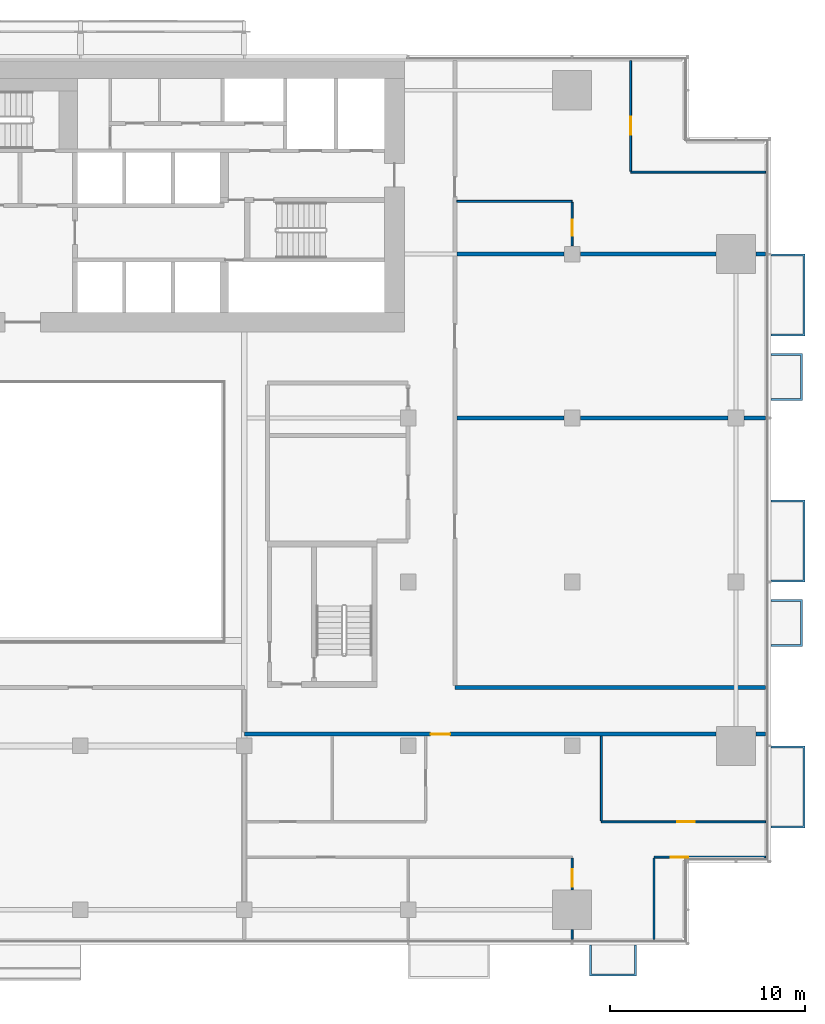
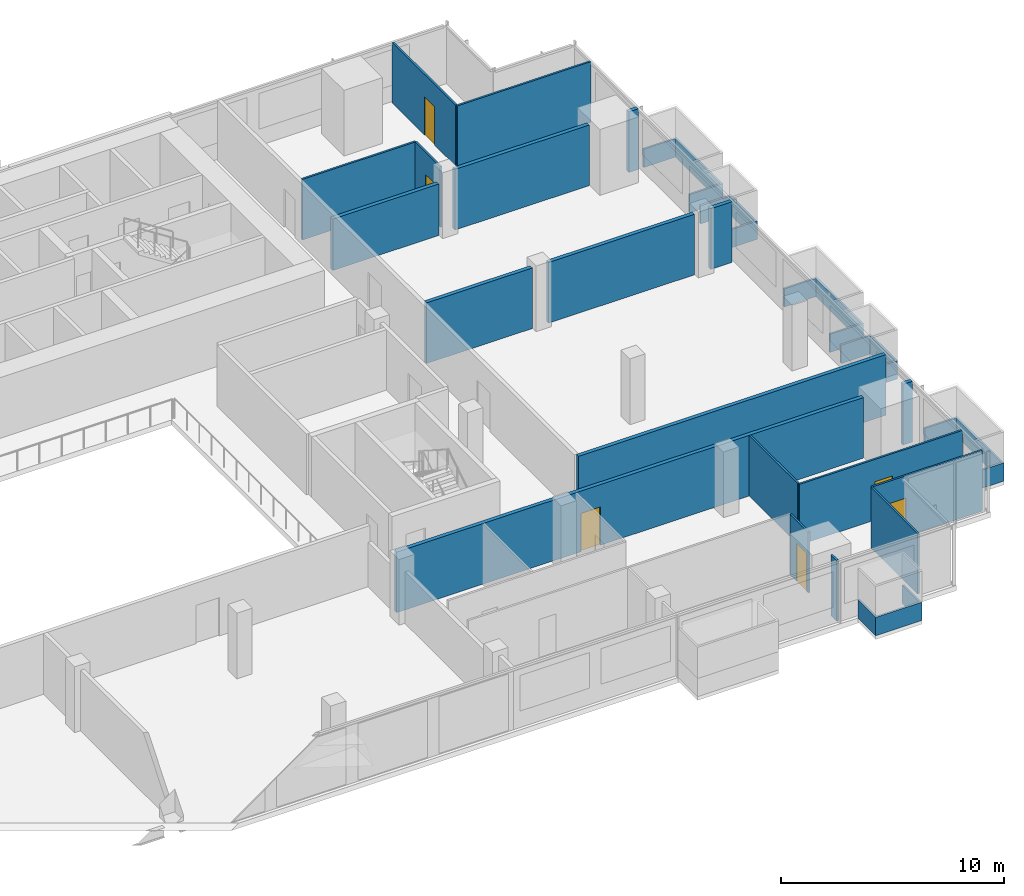
# One storey, part 23 of 26: 25 walls, 6 doors, 6 openings.
"""IFC4 building model written with IfcOpenShell, lengths in metres."""

from ifc_helpers import new_model, si_unit, direction, frame, frame_2d, origin, place, context, subcontext, project, spatial, polyline, rectangle, outline, extrude, material, layer, layer_set, type_object, element, fill, save


model = new_model("IFC4")

# Units and contexts
model_context = context("Model", 3, precision=1e-05, world=origin(), true_north=direction((0.0, 1.0)))
body_context = subcontext(model_context, "Body", "Model", "MODEL_VIEW")
ifc_project = project(units=[si_unit("LENGTHUNIT", "METRE"), si_unit("AREAUNIT", "SQUARE_METRE"), si_unit("VOLUMEUNIT", "CUBIC_METRE"), si_unit("PLANEANGLEUNIT", "RADIAN"), si_unit("MASSUNIT", "GRAM", prefix="KILO")], contexts=[model_context])

# Site, building, storey
site_placement = place(None, origin())
site = spatial("IfcSite", under=ifc_project, at=site_placement, CompositionType="ELEMENT")
building_placement = place(site_placement, origin())
building = spatial("IfcBuilding", under=site, at=building_placement, Name="Saffron Gate Tower", CompositionType="ELEMENT")
storey_placement = place(building_placement, frame((0.0, 0.0, 98.85009765625)))
storey = spatial("IfcBuildingStorey", under=building, at=storey_placement, Name="L22", CompositionType="ELEMENT", Elevation=98.85009765625)

# Wall, opening, door
ifc_material_1 = material(Name="Plasterboard on steel studs", Category="steel")
ifc_layer_1 = layer(ifc_material_1, 0.10009765625)
ifc_layer_set_1 = layer_set([ifc_layer_1], Name="PW1 Partition 100")
wall_type_1 = type_object("IfcWallType", Name="PW1 Partition 100", PredefinedType="PARTITIONING", material=ifc_layer_set_1)
wall_1_placement = place(storey_placement, frame((126.919921875, 34.5, 0.0), z_axis=(0.0, 0.0, 1.0), x_axis=(-1.0, 0.0, 0.0)))
wall_1 = element("IfcWall", 1, at=wall_1_placement, inside=storey, type_object=wall_type_1, Name="Partition B1-3", PredefinedType="PARTITIONING", context=body_context, shape_type="SweptSolid", body=[
    extrude(rectangle(XDim=5.719970703125, YDim=0.10009765625, at=frame_2d((2.85986328125, 0.0))), origin(), (0.0, 0.0, 1.0), 3.31982421875),
])
opening_1_placement = place(wall_1_placement, frame((3.96630859375, 0.0, 0.0)))
opening_1 = element("IfcOpeningElement", 2, at=opening_1_placement, cuts=wall_1, Name="Opening B1-11", PredefinedType="OPENING", context=body_context, shape_type="SweptSolid", body=[
    extrude(rectangle(XDim=0.89990234375, YDim=2.10009765625, at=frame_2d((0.449951171875, 1.050048828125))), frame((0.0, 0.06005859375, 0.0), z_axis=(0.0, -1.0, 0.0), x_axis=(1.0, 0.0, 0.0)), (0.0, 0.0, 1.0), 0.1201171875),
])
ifc_material_2 = material(Name="Timber door set", Category="wood")
door_type_1 = type_object("IfcDoorType", Name="RD1 Room door 900x2100", OperationType="NOTDEFINED", PredefinedType="DOOR", material=ifc_material_2)
door_1_placement = place(opening_1_placement, origin())
door_1 = element("IfcDoor", 3, at=door_1_placement, inside=storey, type_object=door_type_1, Name="Door B1-11", OperationType="SINGLE_SWING_RIGHT", OverallHeight=2.10009765625, OverallWidth=0.89990234375, PredefinedType="DOOR", context=body_context, shape_type="SweptSolid", body=[
    extrude(rectangle(XDim=0.89990234375, YDim=2.10009765625, at=frame_2d((0.449951171875, 1.050048828125))), frame((0.0, 0.02490234375, 0.0), z_axis=(0.0, -1.0, 0.0), x_axis=(1.0, 0.0, 0.0)), (0.0, 0.0, 1.0), 0.050048828125),
])
fill(opening_1, door_1)

wall_2_placement = place(storey_placement, frame((118.5, 36.300048828125, 0.0), z_axis=(0.0, 0.0, 1.0), x_axis=(1.0, 0.0, 0.0)))
wall_2 = element("IfcWall", 4, at=wall_2_placement, inside=storey, type_object=wall_type_1, Name="Partition B1-7", PredefinedType="PARTITIONING", context=body_context, shape_type="SweptSolid", body=[
    extrude(rectangle(XDim=8.419921875, YDim=0.10009765625, at=frame_2d((4.2099609375, 0.0))), origin(), (0.0, 0.0, 1.0), 3.31982421875),
])
opening_2_placement = place(wall_2_placement, frame((3.89990234375, 0.0, 0.0)))
opening_2 = element("IfcOpeningElement", 5, at=opening_2_placement, cuts=wall_2, Name="Opening B1-12", PredefinedType="OPENING", context=body_context, shape_type="SweptSolid", body=[
    extrude(rectangle(XDim=0.89990234375, YDim=2.10009765625, at=frame_2d((0.449951171875, 1.050048828125))), frame((0.0, 0.06005859375, 0.0), z_axis=(0.0, -1.0, 0.0), x_axis=(1.0, 0.0, 0.0)), (0.0, 0.0, 1.0), 0.1201171875),
])
door_2_placement = place(opening_2_placement, origin())
door_2 = element("IfcDoor", 6, at=door_2_placement, inside=storey, type_object=door_type_1, Name="Door B1-12", OperationType="SINGLE_SWING_RIGHT", OverallHeight=2.10009765625, OverallWidth=0.89990234375, PredefinedType="DOOR", context=body_context, shape_type="SweptSolid", body=[
    extrude(rectangle(XDim=0.89990234375, YDim=2.10009765625, at=frame_2d((0.449951171875, 1.050048828125))), frame((0.0, 0.02490234375, 0.0), z_axis=(0.0, -1.0, 0.0), x_axis=(1.0, 0.0, 0.0)), (0.0, 0.0, 1.0), 0.050048828125),
])
fill(opening_2, door_2)

# Walls
wall_3_placement = place(storey_placement, frame((111.10009765625, 68.10009765625, 0.0), z_axis=(0.0, 0.0, 1.0), x_axis=(1.0, 0.0, 0.0)))
element("IfcWall", 7, at=wall_3_placement, inside=storey, type_object=wall_type_1, Name="Partition B1-32", PredefinedType="PARTITIONING", context=body_context, shape_type="SweptSolid", body=[
    extrude(rectangle(XDim=5.89990234375, YDim=0.10009765625, at=frame_2d((2.949951171875, 0.0))), origin(), (0.0, 0.0, 1.0), 3.31982421875),
])
wall_4_placement = place(storey_placement, frame((120.0, 69.60009765625, 0.0), z_axis=(0.0, 0.0, 1.0), x_axis=(1.0, 0.0, 0.0)))
element("IfcWall", 8, at=wall_4_placement, inside=storey, type_object=wall_type_1, Name="Partition B1-34", PredefinedType="PARTITIONING", context=body_context, shape_type="SweptSolid", body=[
    extrude(rectangle(XDim=6.919921875, YDim=0.10009765625, at=frame_2d((3.4599609375, 0.0))), origin(), (0.0, 0.0, 1.0), 3.31982421875),
])
wall_5_placement = place(storey_placement, frame((117.0, 30.780029296875, 0.0), z_axis=(0.0, 0.0, 1.0), x_axis=(0.0, -1.0, 0.0)))
element("IfcWall", 9, at=wall_5_placement, inside=storey, type_object=wall_type_1, Name="Partition B1-67", PredefinedType="PARTITIONING", context=body_context, shape_type="SweptSolid", body=[
    extrude(rectangle(XDim=0.5, YDim=0.10009765625, at=frame_2d((0.25, 0.0))), origin(), (0.0, 0.0, 1.0), 3.31982421875),
])

# Wall, opening, door
wall_6_placement = place(storey_placement, frame((117.0, 32.820068359375, 0.0), z_axis=(0.0, 0.0, 1.0), x_axis=(0.0, 1.0, 0.0)))
wall_6 = element("IfcWall", 10, at=wall_6_placement, inside=storey, type_object=wall_type_1, Name="Partition B1-68", PredefinedType="PARTITIONING", context=body_context, shape_type="SweptSolid", body=[
    extrude(rectangle(XDim=1.6298828125, YDim=0.10009765625, at=frame_2d((0.81494140625, 0.0))), origin(), (0.0, 0.0, 1.0), 3.31982421875),
])
opening_3_placement = place(wall_6_placement, frame((0.14990234375, 0.0, 0.0)))
opening_3 = element("IfcOpeningElement", 11, at=opening_3_placement, cuts=wall_6, Name="Opening B1-10", PredefinedType="OPENING", context=body_context, shape_type="SweptSolid", body=[
    extrude(rectangle(XDim=0.89990234375, YDim=2.10009765625, at=frame_2d((0.449951171875, 1.050048828125))), frame((0.0, 0.06005859375, 0.0), z_axis=(0.0, -1.0, 0.0), x_axis=(1.0, 0.0, 0.0)), (0.0, 0.0, 1.0), 0.1201171875),
])
door_3_placement = place(opening_3_placement, origin())
door_3 = element("IfcDoor", 12, at=door_3_placement, inside=storey, type_object=door_type_1, Name="Door B1-10", OperationType="SINGLE_SWING_LEFT", OverallHeight=2.10009765625, OverallWidth=0.89990234375, PredefinedType="DOOR", context=body_context, shape_type="SweptSolid", body=[
    extrude(rectangle(XDim=0.89990234375, YDim=2.10009765625, at=frame_2d((0.449951171875, 1.050048828125))), frame((0.0, 0.02490234375, 0.0), z_axis=(0.0, -1.0, 0.0), x_axis=(1.0, 0.0, 0.0)), (0.0, 0.0, 1.0), 0.050048828125),
])
fill(opening_3, door_3)

wall_7_placement = place(storey_placement, frame((117.0, 65.820068359375, 0.0), z_axis=(0.0, 0.0, 1.0), x_axis=(0.0, 1.0, 0.0)))
wall_7 = element("IfcWall", 13, at=wall_7_placement, inside=storey, type_object=wall_type_1, Name="Partition B1-69", PredefinedType="PARTITIONING", context=body_context, shape_type="SweptSolid", body=[
    extrude(rectangle(XDim=2.22998046875, YDim=0.10009765625, at=frame_2d((1.114990234375, 0.0))), origin(), (0.0, 0.0, 1.0), 3.31982421875),
])
opening_4_placement = place(wall_7_placement, frame((0.530029296875, 0.0, 0.0)))
opening_4 = element("IfcOpeningElement", 14, at=opening_4_placement, cuts=wall_7, Name="Opening B1-21", PredefinedType="OPENING", context=body_context, shape_type="SweptSolid", body=[
    extrude(rectangle(XDim=0.800048828125, YDim=2.10009765625, at=frame_2d((0.39990234375, 1.050048828125))), frame((0.0, 0.06005859375, 0.0), z_axis=(0.0, -1.0, 0.0), x_axis=(1.0, 0.0, 0.0)), (0.0, 0.0, 1.0), 0.1201171875),
])
door_type_2 = type_object("IfcDoorType", Name="RD2 Bathroom door 800x2100", OperationType="NOTDEFINED", PredefinedType="DOOR", material=ifc_material_2)
door_4_placement = place(opening_4_placement, origin())
door_4 = element("IfcDoor", 15, at=door_4_placement, inside=storey, type_object=door_type_2, Name="Door B1-21", OperationType="SINGLE_SWING_LEFT", OverallHeight=2.10009765625, OverallWidth=0.800048828125, PredefinedType="DOOR", context=body_context, shape_type="SweptSolid", body=[
    extrude(rectangle(XDim=0.800048828125, YDim=2.10009765625, at=frame_2d((0.39990234375, 1.050048828125))), frame((0.0, 0.02490234375, 0.0), z_axis=(0.0, -1.0, 0.0), x_axis=(1.0, 0.0, 0.0)), (0.0, 0.0, 1.0), 0.050048828125),
])
fill(opening_4, door_4)

# Wall
wall_8_placement = place(storey_placement, frame((118.5, 40.699951171875, 0.0), z_axis=(0.0, 0.0, 1.0), x_axis=(0.0, -1.0, 0.0)))
element("IfcWall", 16, at=wall_8_placement, inside=storey, type_object=wall_type_1, Name="Partition B1-70", PredefinedType="PARTITIONING", context=body_context, shape_type="SweptSolid", body=[
    extrude(rectangle(XDim=4.349853515625, YDim=0.10009765625, at=frame_2d((2.1748046875, 0.0))), origin(), (0.0, 0.0, 1.0), 3.31982421875),
])

# Wall, opening, door
wall_9_placement = place(storey_placement, frame((120.0, 75.320068359375, 0.0), z_axis=(0.0, 0.0, 1.0), x_axis=(0.0, -1.0, 0.0)))
wall_9 = element("IfcWall", 17, at=wall_9_placement, inside=storey, type_object=wall_type_1, Name="Partition B1-71", PredefinedType="PARTITIONING", context=body_context, shape_type="SweptSolid", body=[
    extrude(rectangle(XDim=5.670166015625, YDim=0.10009765625, at=frame_2d((2.8349609375, 0.0))), origin(), (0.0, 0.0, 1.0), 3.31982421875),
])
opening_5_placement = place(wall_9_placement, frame((2.89111328125, 0.0, 0.0)))
opening_5 = element("IfcOpeningElement", 18, at=opening_5_placement, cuts=wall_9, Name="Opening B1-14", PredefinedType="OPENING", context=body_context, shape_type="SweptSolid", body=[
    extrude(rectangle(XDim=0.89990234375, YDim=2.10009765625, at=frame_2d((0.449951171875, 1.050048828125))), frame((0.0, 0.06005859375, 0.0), z_axis=(0.0, -1.0, 0.0), x_axis=(1.0, 0.0, 0.0)), (0.0, 0.0, 1.0), 0.1201171875),
])
door_5_placement = place(opening_5_placement, origin())
door_5 = element("IfcDoor", 19, at=door_5_placement, inside=storey, type_object=door_type_1, Name="Door B1-14", OperationType="SINGLE_SWING_RIGHT", OverallHeight=2.10009765625, OverallWidth=0.89990234375, PredefinedType="DOOR", context=body_context, shape_type="SweptSolid", body=[
    extrude(rectangle(XDim=0.89990234375, YDim=2.10009765625, at=frame_2d((0.449951171875, 1.050048828125))), frame((0.0, 0.02490234375, 0.0), z_axis=(0.0, -1.0, 0.0), x_axis=(1.0, 0.0, 0.0)), (0.0, 0.0, 1.0), 0.050048828125),
])
fill(opening_5, door_5)

# Wall
wall_10_placement = place(storey_placement, frame((121.199951171875, 34.449951171875, 0.0), z_axis=(0.0, 0.0, 1.0), x_axis=(0.0, -1.0, 0.0)))
element("IfcWall", 20, at=wall_10_placement, inside=storey, type_object=wall_type_1, Name="Partition B1-72", PredefinedType="PARTITIONING", context=body_context, shape_type="SweptSolid", body=[
    extrude(rectangle(XDim=4.169921875, YDim=0.10009765625, at=frame_2d((2.0849609375, 0.0))), origin(), (0.0, 0.0, 1.0), 3.31982421875),
])

# Wall, opening, door
ifc_material_3 = material(Name="Clay brick masonry, rendered", Category="masonry")
ifc_layer_2 = layer(ifc_material_3, 0.199951171875)
ifc_layer_set_2 = layer_set([ifc_layer_2], Name="PW3 Corridor wall 200")
wall_type_2 = type_object("IfcWallType", Name="PW3 Corridor wall 200", PredefinedType="PARTITIONING", material=ifc_layer_set_2)
wall_11_placement = place(storey_placement, frame((124.3798828125, 40.800048828125, 0.0), z_axis=(0.0, 0.0, 1.0), x_axis=(-1.0, 0.0, 0.0)))
wall_11 = element("IfcWall", 21, at=wall_11_placement, inside=storey, type_object=wall_type_2, Name="Wall B1-10", PredefinedType="PARTITIONING", context=body_context, shape_type="SweptSolid", body=[
    extrude(rectangle(XDim=24.179931640625, YDim=0.199951171875, at=frame_2d((12.08984375, 0.0))), origin(), (0.0, 0.0, 1.0), 3.31982421875),
])
opening_6_placement = place(wall_11_placement, frame((13.6298828125, 0.0, 0.0)))
opening_6 = element("IfcOpeningElement", 22, at=opening_6_placement, cuts=wall_11, Name="Opening B1-2", PredefinedType="OPENING", context=body_context, shape_type="SweptSolid", body=[
    extrude(rectangle(XDim=1.0, YDim=2.10009765625, at=frame_2d((0.5, 1.050048828125))), frame((0.0, 0.10986328125, 0.0), z_axis=(0.0, -1.0, 0.0), x_axis=(1.0, 0.0, 0.0)), (0.0, 0.0, 1.0), 0.219970703125),
])
ifc_material_4 = material(Name="Timber fire door set", Category="wood")
door_type_3 = type_object("IfcDoorType", Name="FD1 Flat entry door 1000x2100", OperationType="NOTDEFINED", PredefinedType="DOOR", material=ifc_material_4)
door_6_placement = place(opening_6_placement, origin())
door_6 = element("IfcDoor", 23, at=door_6_placement, inside=storey, type_object=door_type_3, Name="Door B1-2", OperationType="SINGLE_SWING_RIGHT", OverallHeight=2.10009765625, OverallWidth=1.0, PredefinedType="DOOR", context=body_context, shape_type="SweptSolid", body=[
    extrude(rectangle(XDim=1.0, YDim=2.10009765625, at=frame_2d((0.5, 1.050048828125))), frame((0.0, 0.02490234375, 0.0), z_axis=(0.0, -1.0, 0.0), x_axis=(1.0, 0.0, 0.0)), (0.0, 0.0, 1.0), 0.050048828125),
])
fill(opening_6, door_6)

# Walls
wall_12_placement = place(storey_placement, frame((126.419921875, 40.800048828125, 0.0), z_axis=(0.0, 0.0, 1.0), x_axis=(1.0, 0.0, 0.0)))
element("IfcWall", 24, at=wall_12_placement, inside=storey, type_object=wall_type_2, Name="Wall B1-11", PredefinedType="PARTITIONING", context=body_context, shape_type="SweptSolid", body=[
    extrude(rectangle(XDim=0.5, YDim=0.199951171875, at=frame_2d((0.25, 0.0))), origin(), (0.0, 0.0, 1.0), 3.31982421875),
])
wall_13_placement = place(storey_placement, frame((111.0, 43.199951171875, 0.0), z_axis=(0.0, 0.0, 1.0), x_axis=(1.0, 0.0, 0.0)))
element("IfcWall", 25, at=wall_13_placement, inside=storey, type_object=wall_type_2, Name="Wall B1-14", PredefinedType="PARTITIONING", context=body_context, shape_type="SweptSolid", body=[
    extrude(rectangle(XDim=15.919921875, YDim=0.199951171875, at=frame_2d((7.9599609375, 0.0))), origin(), (0.0, 0.0, 1.0), 3.31982421875),
])
ifc_layer_3 = layer(ifc_material_3, 0.199951171875)
ifc_layer_set_3 = layer_set([ifc_layer_3], Name="PW5 Room wall 200")
wall_type_3 = type_object("IfcWallType", Name="PW5 Room wall 200", PredefinedType="PARTITIONING", material=ifc_layer_set_3)
wall_14_placement = place(storey_placement, frame((111.10009765625, 57.0, 0.0), z_axis=(0.0, 0.0, 1.0), x_axis=(1.0, 0.0, 0.0)))
element("IfcWall", 26, at=wall_14_placement, inside=storey, type_object=wall_type_3, Name="Wall B1-21", PredefinedType="PARTITIONING", context=body_context, shape_type="SweptSolid", body=[
    extrude(rectangle(XDim=5.47998046875, YDim=0.199951171875, at=frame_2d((2.739990234375, 0.0))), origin(), (0.0, 0.0, 1.0), 3.31982421875),
])
wall_15_placement = place(storey_placement, frame((117.419921875, 57.0, 0.0), z_axis=(0.0, 0.0, 1.0), x_axis=(1.0, 0.0, 0.0)))
element("IfcWall", 27, at=wall_15_placement, inside=storey, type_object=wall_type_3, Name="Wall B1-22", PredefinedType="PARTITIONING", context=body_context, shape_type="SweptSolid", body=[
    extrude(rectangle(XDim=7.56005859375, YDim=0.199951171875, at=frame_2d((3.780029296875, 0.0))), origin(), (0.0, 0.0, 1.0), 3.31982421875),
])
wall_16_placement = place(storey_placement, frame((125.820068359375, 57.0, 0.0), z_axis=(0.0, 0.0, 1.0), x_axis=(1.0, 0.0, 0.0)))
element("IfcWall", 28, at=wall_16_placement, inside=storey, type_object=wall_type_3, Name="Wall B1-23", PredefinedType="PARTITIONING", context=body_context, shape_type="SweptSolid", body=[
    extrude(rectangle(XDim=1.099853515625, YDim=0.199951171875, at=frame_2d((0.5498046875, 0.0))), origin(), (0.0, 0.0, 1.0), 3.31982421875),
])
wall_17_placement = place(storey_placement, frame((111.10009765625, 65.39990234375, 0.0), z_axis=(0.0, 0.0, 1.0), x_axis=(1.0, 0.0, 0.0)))
element("IfcWall", 29, at=wall_17_placement, inside=storey, type_object=wall_type_3, Name="Wall B1-29", PredefinedType="PARTITIONING", context=body_context, shape_type="SweptSolid", body=[
    extrude(rectangle(XDim=5.47998046875, YDim=0.199951171875, at=frame_2d((2.739990234375, 0.0))), origin(), (0.0, 0.0, 1.0), 2.81982421875),
])
wall_18_placement = place(storey_placement, frame((117.419921875, 65.39990234375, 0.0), z_axis=(0.0, 0.0, 1.0), x_axis=(1.0, 0.0, 0.0)))
element("IfcWall", 30, at=wall_18_placement, inside=storey, type_object=wall_type_3, Name="Wall B1-30", PredefinedType="PARTITIONING", context=body_context, shape_type="SweptSolid", body=[
    extrude(rectangle(XDim=6.9599609375, YDim=0.199951171875, at=frame_2d((3.47998046875, 0.0))), origin(), (0.0, 0.0, 1.0), 3.31982421875),
])
wall_19_placement = place(storey_placement, frame((126.419921875, 65.39990234375, 0.0), z_axis=(0.0, 0.0, 1.0), x_axis=(1.0, 0.0, 0.0)))
element("IfcWall", 31, at=wall_19_placement, inside=storey, type_object=wall_type_3, Name="Wall B1-31", PredefinedType="PARTITIONING", context=body_context, shape_type="SweptSolid", body=[
    extrude(rectangle(XDim=0.5, YDim=0.199951171875, at=frame_2d((0.25, 0.0))), origin(), (0.0, 0.0, 1.0), 3.31982421875),
])
ifc_material_5 = material(Name="Rendered insulated panel, white")
ifc_layer_4 = layer(ifc_material_5, 0.10009765625)
ifc_layer_set_4 = layer_set([ifc_layer_4], Name="WB3 box parapet white")
wall_type_4 = type_object("IfcWallType", Name="WB3 box parapet white", PredefinedType="SOLIDWALL", material=ifc_layer_set_4)
wall_20_placement = place(storey_placement, origin())
element("IfcWall", 32, at=wall_20_placement, inside=storey, type_object=wall_type_4, Name="WINDOW BOX parapet", PredefinedType="SOLIDWALL", context=body_context, shape_type="SweptSolid", body=[
    extrude(outline(polyline([(117.89990234375, 30.0), (118.0, 30.0), (118.0, 28.5), (120.199951171875, 28.5), (120.199951171875, 30.0), (120.300048828125, 30.0), (120.300048828125, 28.39990234375), (117.89990234375, 28.39990234375), (117.89990234375, 30.0)])), origin(), (0.0, 0.0, 1.0), 1.0),
])
wall_21_placement = place(storey_placement, origin())
element("IfcWall", 33, at=wall_21_placement, inside=storey, type_object=wall_type_4, Name="WINDOW BOX parapet", PredefinedType="SOLIDWALL", context=body_context, shape_type="SweptSolid", body=[
    extrude(outline(polyline([(127.199951171875, 36.0), (127.199951171875, 36.10009765625), (128.8330078125, 36.10009765625), (128.8330078125, 40.10009765625), (127.199951171875, 40.10009765625), (127.199951171875, 40.199951171875), (128.93310546875, 40.199951171875), (128.93310546875, 36.0), (127.199951171875, 36.0)])), origin(), (0.0, 0.0, 1.0), 1.0),
])
wall_22_placement = place(storey_placement, origin())
element("IfcWall", 34, at=wall_22_placement, inside=storey, type_object=wall_type_4, Name="WINDOW BOX parapet", PredefinedType="SOLIDWALL", context=body_context, shape_type="SweptSolid", body=[
    extrude(outline(polyline([(127.199951171875, 45.300048828125), (127.199951171875, 45.39990234375), (128.699951171875, 45.39990234375), (128.699951171875, 47.60009765625), (127.199951171875, 47.60009765625), (127.199951171875, 47.699951171875), (128.800048828125, 47.699951171875), (128.800048828125, 45.300048828125), (127.199951171875, 45.300048828125)])), origin(), (0.0, 0.0, 1.0), 1.0),
])
wall_23_placement = place(storey_placement, origin())
element("IfcWall", 35, at=wall_23_placement, inside=storey, type_object=wall_type_4, Name="WINDOW BOX parapet", PredefinedType="SOLIDWALL", context=body_context, shape_type="SweptSolid", body=[
    extrude(outline(polyline([(127.199951171875, 48.60009765625), (127.199951171875, 48.699951171875), (128.8330078125, 48.699951171875), (128.8330078125, 52.699951171875), (127.199951171875, 52.699951171875), (127.199951171875, 52.800048828125), (128.93310546875, 52.800048828125), (128.93310546875, 48.60009765625), (127.199951171875, 48.60009765625)])), origin(), (0.0, 0.0, 1.0), 1.0),
])
wall_24_placement = place(storey_placement, origin())
element("IfcWall", 36, at=wall_24_placement, inside=storey, type_object=wall_type_4, Name="WINDOW BOX parapet", PredefinedType="SOLIDWALL", context=body_context, shape_type="SweptSolid", body=[
    extrude(outline(polyline([(127.199951171875, 57.89990234375), (127.199951171875, 58.0), (128.699951171875, 58.0), (128.699951171875, 60.199951171875), (127.199951171875, 60.199951171875), (127.199951171875, 60.300048828125), (128.800048828125, 60.300048828125), (128.800048828125, 57.89990234375), (127.199951171875, 57.89990234375)])), origin(), (0.0, 0.0, 1.0), 1.0),
])
wall_25_placement = place(storey_placement, origin())
element("IfcWall", 37, at=wall_25_placement, inside=storey, type_object=wall_type_4, Name="WINDOW BOX parapet", PredefinedType="SOLIDWALL", context=body_context, shape_type="SweptSolid", body=[
    extrude(outline(polyline([(127.199951171875, 61.199951171875), (127.199951171875, 61.300048828125), (128.8330078125, 61.300048828125), (128.8330078125, 65.300048828125), (127.199951171875, 65.300048828125), (127.199951171875, 65.39990234375), (128.93310546875, 65.39990234375), (128.93310546875, 61.199951171875), (127.199951171875, 61.199951171875)])), origin(), (0.0, 0.0, 1.0), 1.0),
])

save(model, "model.ifc")
